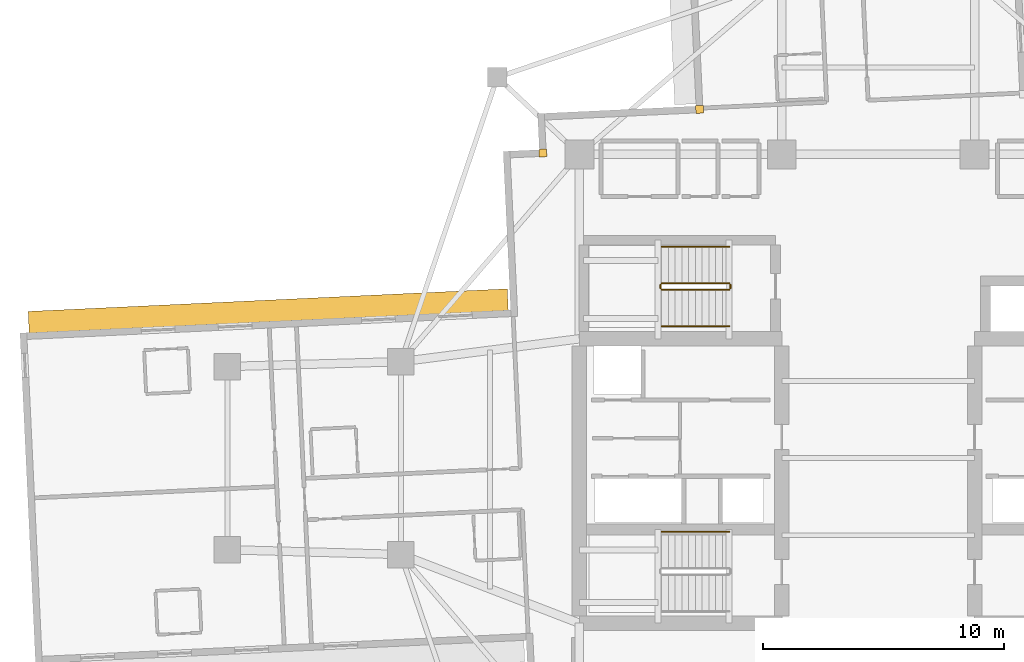
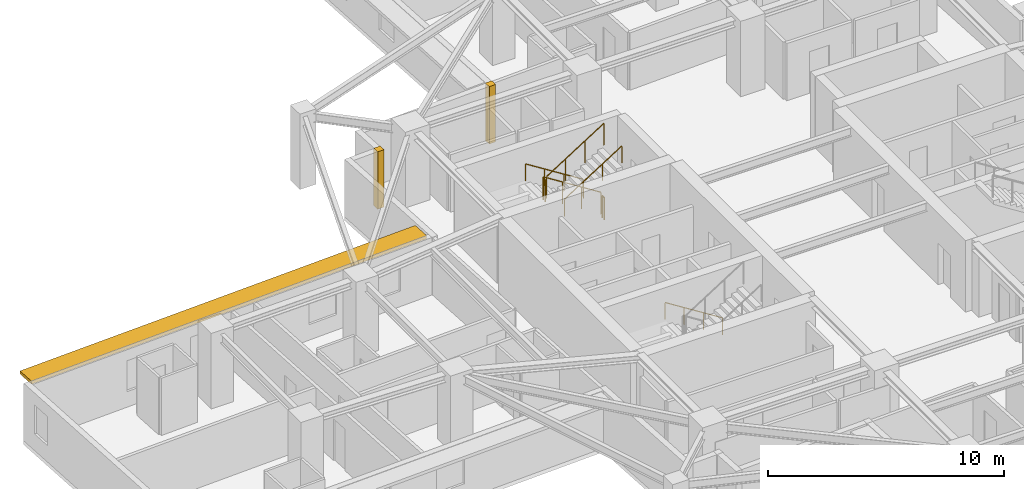
# One storey, part 13 of 14: 7 railings, 2 coverings, 1 shading device.
"""IFC4 building model written with IfcOpenShell, lengths in metres."""

import ifcopenshell
import ifcopenshell.guid

model = None  # the IFC model being written
_history = None  # IfcOwnerHistory: only IFC2X3 demands one
_inside = {}  # id of a spatial element -> (the spatial element, [elements in it])
_under = {}  # id of a project, library or spatial element -> (it, [spatial elements below it])
_declared = {}  # id of a project -> (the project, [libraries it declares])
_typed = {}  # id of a type object -> (the type object, [elements of that type])
_made_of = {}  # id of a material, layer set ... -> (it, [elements and type objects made of it])


def new_model(schema):
    """Start an empty IFC model of exactly this schema.

    Asked for "IFC4X3", IfcOpenShell would pick the latest addendum, in which some entities
    have other attributes; the version numbers below select the first issue.
    IFC2X3 requires an IfcOwnerHistory on every rooted entity: one is made here for all.
    """
    global model, _history
    if schema == "IFC4X3":
        model = ifcopenshell.file(schema_version=(4, 3, 0, 0))
    else:
        model = ifcopenshell.file(schema=schema)
    _inside.clear()
    _under.clear()
    _declared.clear()
    _typed.clear()
    _made_of.clear()
    _history = None
    if model.schema == "IFC2X3":
        org = make("IfcOrganization", Name="unknown")
        user = make(
            "IfcPersonAndOrganization",
            ThePerson=make("IfcPerson", FamilyName="unknown"),
            TheOrganization=org,
        )
        app = make(
            "IfcApplication",
            ApplicationDeveloper=org,
            Version="unknown",
            ApplicationFullName="unknown",
            ApplicationIdentifier="unknown",
        )
        _history = make(
            "IfcOwnerHistory",
            OwningUser=user,
            OwningApplication=app,
            ChangeAction="ADDED",
            CreationDate=0,
        )
    return model


def make(cls, **values):
    """One entity of the class cls with the attributes given. An attribute that is None is left unset."""
    return model.create_entity(
        cls, **{name: value for name, value in values.items() if value is not None}
    )


def rooted(cls, **values):
    """An entity with a GlobalId (a new one), such as an element, a storey or a relation."""
    return make(cls, GlobalId=ifcopenshell.guid.new(), OwnerHistory=_history, **values)


def si_unit(unit_type, name, prefix=None):
    """IfcSIUnit, for example si_unit("LENGTHUNIT", "METRE", prefix="MILLI")."""
    return make("IfcSIUnit", UnitType=unit_type, Prefix=prefix, Name=name)


def assignment(units):
    """IfcUnitAssignment: the units of a project."""
    return None if units is None else make("IfcUnitAssignment", Units=units)


def point(xyz):
    """IfcCartesianPoint."""
    return None if xyz is None else make("IfcCartesianPoint", Coordinates=xyz)


def direction(xyz):
    """IfcDirection."""
    return None if xyz is None else make("IfcDirection", DirectionRatios=xyz)


def frame(location, z_axis=None, x_axis=None):
    """IfcAxis2Placement3D, a coordinate frame: its origin and axes. An axis left out is left unset."""
    return make(
        "IfcAxis2Placement3D",
        Location=point(location),
        Axis=direction(z_axis),
        RefDirection=direction(x_axis),
    )


def frame_2d(location, x_axis=None):
    """IfcAxis2Placement2D, a coordinate frame in the plane: its origin and x axis."""
    return make(
        "IfcAxis2Placement2D", Location=point(location), RefDirection=direction(x_axis)
    )


def origin():
    """The frame at (0, 0, 0) with its axes left unset."""
    return frame((0.0, 0.0, 0.0))


def origin_2d():
    """The frame at (0, 0) in the plane with its x axis left unset."""
    return frame_2d((0.0, 0.0))


def place(relative_to, where):
    """IfcLocalPlacement: puts the frame where relative to a parent placement (None: the world)."""
    return make(
        "IfcLocalPlacement", PlacementRelTo=relative_to, RelativePlacement=where
    )


def context(
    kind, dimensions, precision=None, world=None, true_north=None, identifier=None
):
    """IfcGeometricRepresentationContext, for example the 3D "Model" context."""
    return make(
        "IfcGeometricRepresentationContext",
        ContextIdentifier=identifier,
        ContextType=kind,
        CoordinateSpaceDimension=dimensions,
        Precision=precision,
        WorldCoordinateSystem=world,
        TrueNorth=true_north,
    )


def subcontext(parent, identifier, kind, view, scale=None):
    """IfcGeometricRepresentationSubContext, for example "Body" below "Model"."""
    return make(
        "IfcGeometricRepresentationSubContext",
        ContextIdentifier=identifier,
        ContextType=kind,
        ParentContext=parent,
        TargetScale=scale,
        TargetView=view,
    )


def project(units=None, contexts=None):
    """IfcProject with its units and contexts."""
    return rooted(
        "IfcProject",
        Name="project",
        RepresentationContexts=contexts,
        UnitsInContext=assignment(units),
    )


def spatial(cls, under=None, at=None, **own):
    """A site, building, storey or space (cls), placed at a placement, below another one or the project."""
    s = rooted(cls, ObjectPlacement=at, **own)
    if under is not None:
        _under.setdefault(under.id(), (under, []))[1].append(s)
    return s


def profile(cls, at=None, kind="AREA", **sizes):
    """A parametric profile (cls). Its sizes go by their IFC names, for example OverallWidth=200.0."""
    return make(cls, ProfileType=kind, Position=at, **sizes)


def rectangle(**sizes):
    """IfcRectangleProfileDef."""
    return profile("IfcRectangleProfileDef", **sizes)


def circle(**sizes):
    """IfcCircleProfileDef."""
    return profile("IfcCircleProfileDef", **sizes)


def extrude(swept, where, along, depth):
    """IfcExtrudedAreaSolid: the profile swept, set in the frame where, extruded along a direction by depth."""
    return make(
        "IfcExtrudedAreaSolid",
        SweptArea=swept,
        Position=where,
        ExtrudedDirection=direction(along),
        Depth=depth,
    )


def shape(context_of_items, identifier, shape_type, items):
    """IfcShapeRepresentation: the items that make up one representation, for example the "Body"."""
    return make(
        "IfcShapeRepresentation",
        ContextOfItems=context_of_items,
        RepresentationIdentifier=identifier,
        RepresentationType=shape_type,
        Items=items,
    )


def material(Name=None, Category=None):
    """IfcMaterial."""
    return make("IfcMaterial", Name=Name, Category=Category)


def layer(
    of_material, thickness, ventilated=None, Name=None, Category=None, Priority=None
):
    """IfcMaterialLayer: one layer of a wall or slab, of a material (None: an air gap)."""
    return make(
        "IfcMaterialLayer",
        Material=of_material,
        LayerThickness=thickness,
        IsVentilated=ventilated,
        Name=Name,
        Category=Category,
        Priority=Priority,
    )


def layer_set(layers, Name=None):
    """IfcMaterialLayerSet."""
    return make("IfcMaterialLayerSet", MaterialLayers=layers, LayerSetName=Name)


def made_of(thing, what):
    """Note that an element or type object is made of a material, layer set ...; save() writes the relation."""
    if what is not None:
        _made_of.setdefault(what.id(), (what, []))[1].append(thing)
    return thing


def type_object(cls, material=None, **own):
    """A type object (cls), such as IfcWallType, which elements share."""
    return made_of(rooted(cls, **own), material)


def element(
    cls,
    number,
    at=None,
    inside=None,
    cuts=None,
    type_object=None,
    material=None,
    context=None,
    identifier="Body",
    shape_type=None,
    held_by="IfcProductDefinitionShape",
    body=None,
    shapes=None,
    **own,
):
    """One element of the class cls, such as IfcWall. Its Tag is "e" and its number.

    at: its placement. inside: the storey or other place that contains it. cuts: it is an
    opening in that element (IfcRelVoidsElement). A single representation is given by context,
    identifier, shape_type and body (its items); several are given by shapes. held_by: the class
    of the entity that holds the representations. save() writes the other relations.
    """
    e = rooted(cls, Tag="e%d" % number, ObjectPlacement=at, **own)
    if body is not None:
        shapes = [shape(context, identifier, shape_type, body)]
    if shapes is not None:
        e.Representation = make(held_by, Representations=shapes)
    if inside is not None:
        _inside.setdefault(inside.id(), (inside, []))[1].append(e)
    if cuts is not None:
        rooted(
            "IfcRelVoidsElement", RelatingBuildingElement=cuts, RelatedOpeningElement=e
        )
    if type_object is not None:
        _typed.setdefault(type_object.id(), (type_object, []))[1].append(e)
    return made_of(e, material)


def aggregate(whole, parts):
    """IfcRelAggregates: a whole, such as a stair, and the parts it consists of."""
    return rooted("IfcRelAggregates", RelatingObject=whole, RelatedObjects=parts)


def save(model, path):
    """Write the relations noted so far, then the file.

    IfcRelAggregates (storeys below a building ...), IfcRelContainedInSpatialStructure (elements
    in a storey), IfcRelDefinesByType, IfcRelAssociatesMaterial and IfcRelDeclares: one each for
    every whole, place, type object, material and project.
    """
    for whole, parts in _under.values():
        aggregate(whole, parts)
    for where, things in _inside.values():
        rooted(
            "IfcRelContainedInSpatialStructure",
            RelatedElements=things,
            RelatingStructure=where,
        )
    for kind, things in _typed.values():
        rooted("IfcRelDefinesByType", RelatedObjects=things, RelatingType=kind)
    for what, things in _made_of.values():
        rooted("IfcRelAssociatesMaterial", RelatedObjects=things, RelatingMaterial=what)
    for by, libraries in _declared.values():
        rooted("IfcRelDeclares", RelatingContext=by, RelatedDefinitions=libraries)
    model.write(path)


model = new_model("IFC4")

# Units and contexts
model_context = context("Model", 3, precision=1e-05, world=origin(), true_north=direction((0.0, 1.0)))
body_context = subcontext(model_context, "Body", "Model", "MODEL_VIEW")
ifc_project = project(units=[si_unit("LENGTHUNIT", "METRE"), si_unit("AREAUNIT", "SQUARE_METRE"), si_unit("VOLUMEUNIT", "CUBIC_METRE"), si_unit("PLANEANGLEUNIT", "RADIAN"), si_unit("MASSUNIT", "GRAM", prefix="KILO")], contexts=[model_context])

# Site, building, storey
site_placement = place(None, origin())
site = spatial("IfcSite", under=ifc_project, at=site_placement, CompositionType="ELEMENT")
building_placement = place(site_placement, origin())
building = spatial("IfcBuilding", under=site, at=building_placement, Name="Qingluan Cross Belvedere", CompositionType="ELEMENT")
storey_placement = place(building_placement, frame((0.0, 0.0, 116.39990234375)))
storey = spatial("IfcBuildingStorey", under=building, at=storey_placement, Name="L29", CompositionType="ELEMENT", Elevation=116.39990234375)

# Coverings
ifc_material_1 = material(Name="Precast concrete C45", Category="concrete")
ifc_layer_1 = layer(ifc_material_1, 0.1201171875, Name="ConcreteSpandrelCladding_120")
ifc_layer_set_1 = layer_set([ifc_layer_1], Name="Precast concrete C45")
covering_type = type_object("IfcCoveringType", Name="ConcreteSpandrelCladding_120", PredefinedType="CLADDING", material=ifc_layer_set_1)
for number, where, z_axis, x_axis, name in (
    (1, (-13.911865234375, 12.65869140625, 0.0), (0.0, 0.0, 1.0), (0.998889874962, 0.04710645071, 0.0), "Corner closure L29-NW1"),
    (2, (-7.40966796875, 14.467041015625, 0.0), (0.0, 0.0, 1.0), (0.998889874962, 0.04710645071, 0.0), "Corner closure L29-NW2"),
):
    element("IfcCovering", number, at=place(storey_placement, frame(where, z_axis=z_axis, x_axis=x_axis)), inside=storey, type_object=covering_type, Name=name, PredefinedType="CLADDING", context=body_context, shape_type="SweptSolid", body=[
        extrude(rectangle(XDim=0.320068359375, YDim=0.320068359375, at=origin_2d()), origin(), (0.0, 0.0, 1.0), 2.969970703125),
    ])

# Shading device
ifc_material_2 = material(Name="Precast concrete C45", Category="concrete")
ifc_layer_2 = layer(ifc_material_2, 0.159912109375, Name="ConcreteSunshadeBand_900")
ifc_layer_set_2 = layer_set([ifc_layer_2], Name="Precast concrete C45")
shading_device_type = type_object("IfcShadingDeviceType", Name="ConcreteSunshadeBand_900", PredefinedType="USERDEFINED", material=ifc_layer_set_2)
shading_device_placement = place(storey_placement, frame((-25.3056640625, 6.104736328125, 2.7900390625), z_axis=(0.0, 0.0, 1.0), x_axis=(-0.998889735192, -0.04710941444, 0.0)))
element("IfcShadingDevice", 3, at=shading_device_placement, inside=storey, type_object=shading_device_type, Name="Concrete SUNSHADE L29-WA", ObjectType="SUNSHADE", PredefinedType="USERDEFINED", context=body_context, shape_type="SweptSolid", body=[
    extrude(rectangle(XDim=19.89990234375, YDim=0.89990234375, at=origin_2d()), origin(), (0.0, 0.0, 1.0), 0.159912109375),
])

# Railings
ifc_material_3 = material(Name="Brushed stainless steel tubular handrail", Category="steel")
railing_type_1 = type_object("IfcRailingType", Name="StairPitchHandrail_900", PredefinedType="HANDRAIL", material=ifc_material_3)
for number, where, name in (
    (4, (-6.179931640625, -3.050048828125, 0.177490234375), "L29 ST1 stair handrail 1"),
    (5, (-6.179931640625, 8.77001953125, 0.177490234375), "L29 ST3 stair handrail 1"),
):
    element("IfcRailing", number, at=place(storey_placement, frame(where)), inside=storey, type_object=railing_type_1, Name=name, PredefinedType="HANDRAIL", context=body_context, shape_type="SweptSolid", body=[
        extrude(circle(Radius=0.02392578125, at=origin_2d()), frame((0.0, 0.0, 0.8759765625), z_axis=(-0.844908973607, 0.0, 0.534910110503), x_axis=(0.0, -1.0, 0.0)), (0.0, 0.0, 1.0), 3.31396484375),
        extrude(circle(Radius=0.02099609375, at=origin_2d()), origin(), (0.0, 0.0, 1.0), 0.851806640625),
        extrude(circle(Radius=0.02099609375, at=origin_2d()), frame((-0.933349609375, 0.0, 0.5908203125)), (0.0, 0.0, 1.0), 0.851806640625),
        extrude(circle(Radius=0.02099609375, at=origin_2d()), frame((-1.86669921875, 0.0, 1.181884765625)), (0.0, 0.0, 1.0), 0.851806640625),
        extrude(circle(Radius=0.02099609375, at=origin_2d()), frame((-2.800048828125, 0.0, 1.772705078125)), (0.0, 0.0, 1.0), 0.851806640625),
    ])
railing_1_placement = place(storey_placement, frame((-8.97998046875, 5.469970703125, 2.12744140625)))
element("IfcRailing", 6, at=railing_1_placement, inside=storey, type_object=railing_type_1, Name="L29 ST3 stair handrail 2", PredefinedType="HANDRAIL", context=body_context, shape_type="SweptSolid", body=[
    extrude(circle(Radius=0.02392578125, at=origin_2d()), frame((0.0, 0.0, 0.8759765625), z_axis=(0.844908973607, 0.0, 0.534910110503), x_axis=(0.0, 1.0, 0.0)), (0.0, 0.0, 1.0), 3.31396484375),
    extrude(circle(Radius=0.02099609375, at=origin_2d()), origin(), (0.0, 0.0, 1.0), 0.851806640625),
    extrude(circle(Radius=0.02099609375, at=origin_2d()), frame((0.933349609375, 0.0, 0.5908203125)), (0.0, 0.0, 1.0), 0.851806640625),
    extrude(circle(Radius=0.02099609375, at=origin_2d()), frame((1.86669921875, 0.0, 1.181884765625)), (0.0, 0.0, 1.0), 0.851806640625),
    extrude(circle(Radius=0.02099609375, at=origin_2d()), frame((2.800048828125, 0.0, 1.772705078125)), (0.0, 0.0, 1.0), 0.851806640625),
])
ifc_material_4 = material(Name="Painted steel stair well guard", Category="steel")
railing_type_2 = type_object("IfcRailingType", Name="StairWellGuard_1150", PredefinedType="BALUSTRADE", material=ifc_material_4)
railing_2_placement = place(storey_placement, frame((-6.179931640625, 7.25, 0.177490234375)))
element("IfcRailing", 7, at=railing_2_placement, inside=storey, type_object=railing_type_2, Name="L29 ST3 stair guard 1", PredefinedType="BALUSTRADE", context=body_context, shape_type="SweptSolid", body=[
    extrude(circle(Radius=0.02392578125, at=origin_2d()), frame((0.0, 0.0, 1.1259765625), z_axis=(-0.844908973607, 0.0, 0.534910110503), x_axis=(0.0, -1.0, 0.0)), (0.0, 0.0, 1.0), 3.31396484375),
    extrude(circle(Radius=0.02099609375, at=origin_2d()), origin(), (0.0, 0.0, 1.0), 1.101806640625),
    extrude(circle(Radius=0.02099609375, at=origin_2d()), frame((-0.933349609375, 0.0, 0.5908203125)), (0.0, 0.0, 1.0), 1.101806640625),
    extrude(circle(Radius=0.02099609375, at=origin_2d()), frame((-1.86669921875, 0.0, 1.181884765625)), (0.0, 0.0, 1.0), 1.101806640625),
    extrude(circle(Radius=0.02099609375, at=origin_2d()), frame((-2.800048828125, 0.0, 1.772705078125)), (0.0, 0.0, 1.0), 1.101806640625),
])
railing_3_placement = place(storey_placement, frame((-9.030029296875, 7.199951171875, 1.9501953125)))
element("IfcRailing", 8, at=railing_3_placement, inside=storey, type_object=railing_type_2, Name="L29 ST3 stair guard 2", PredefinedType="BALUSTRADE", context=body_context, shape_type="SweptSolid", body=[
    extrude(circle(Radius=0.02392578125, at=origin_2d()), frame((0.0, 0.0, 1.1259765625), z_axis=(0.0, -1.0, 0.0), x_axis=(1.0, 0.0, 0.0)), (0.0, 0.0, 1.0), 0.159912109375),
    extrude(circle(Radius=0.02099609375, at=origin_2d()), origin(), (0.0, 0.0, 1.0), 1.101806640625),
    extrude(circle(Radius=0.02099609375, at=origin_2d()), frame((0.0, -0.159912109375, 0.0)), (0.0, 0.0, 1.0), 1.101806640625),
])
railing_4_placement = place(storey_placement, frame((-8.97998046875, 6.989990234375, 2.12744140625)))
element("IfcRailing", 9, at=railing_4_placement, inside=storey, type_object=railing_type_2, Name="L29 ST3 stair guard 3", PredefinedType="BALUSTRADE", context=body_context, shape_type="SweptSolid", body=[
    extrude(circle(Radius=0.02392578125, at=origin_2d()), frame((0.0, 0.0, 1.1259765625), z_axis=(0.844908973607, 0.0, 0.534910110503), x_axis=(0.0, 1.0, 0.0)), (0.0, 0.0, 1.0), 3.31396484375),
    extrude(circle(Radius=0.02099609375, at=origin_2d()), origin(), (0.0, 0.0, 1.0), 1.101806640625),
    extrude(circle(Radius=0.02099609375, at=origin_2d()), frame((0.933349609375, 0.0, 0.5908203125)), (0.0, 0.0, 1.0), 1.101806640625),
    extrude(circle(Radius=0.02099609375, at=origin_2d()), frame((1.86669921875, 0.0, 1.181884765625)), (0.0, 0.0, 1.0), 1.101806640625),
    extrude(circle(Radius=0.02099609375, at=origin_2d()), frame((2.800048828125, 0.0, 1.772705078125)), (0.0, 0.0, 1.0), 1.101806640625),
])
railing_5_placement = place(storey_placement, frame((-6.1298828125, 7.199951171875, 0.0)))
element("IfcRailing", 10, at=railing_5_placement, inside=storey, type_object=railing_type_2, Name="L29 ST3 stair guard 4", PredefinedType="BALUSTRADE", context=body_context, shape_type="SweptSolid", body=[
    extrude(circle(Radius=0.02392578125, at=origin_2d()), frame((0.0, 0.0, 1.1259765625), z_axis=(0.0, -1.0, 0.0), x_axis=(1.0, 0.0, 0.0)), (0.0, 0.0, 1.0), 0.159912109375),
    extrude(circle(Radius=0.02099609375, at=origin_2d()), origin(), (0.0, 0.0, 1.0), 1.101806640625),
    extrude(circle(Radius=0.02099609375, at=origin_2d()), frame((0.0, -0.159912109375, 0.0)), (0.0, 0.0, 1.0), 1.101806640625),
])

save(model, "model.ifc")
